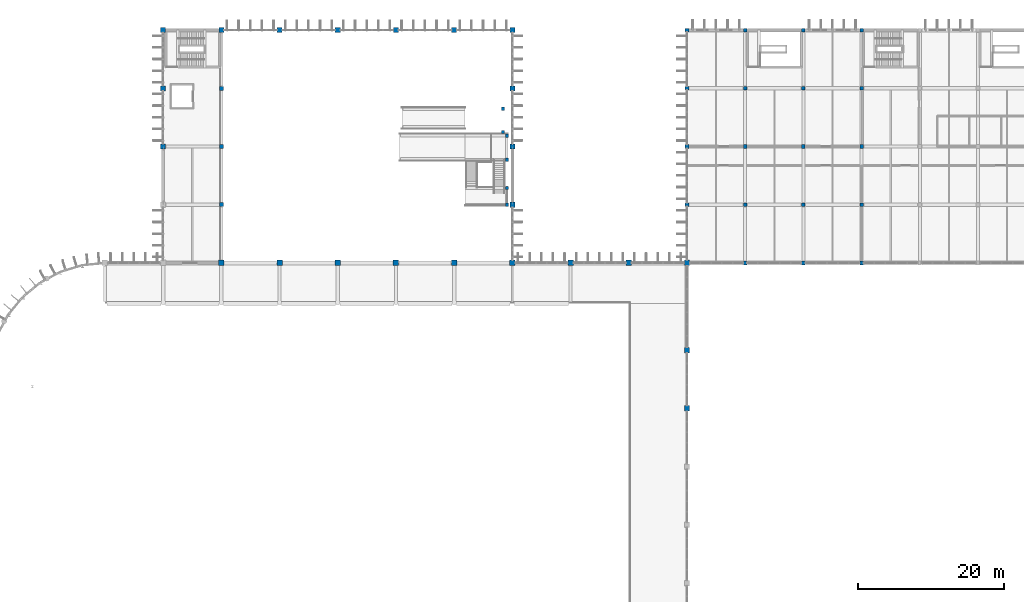
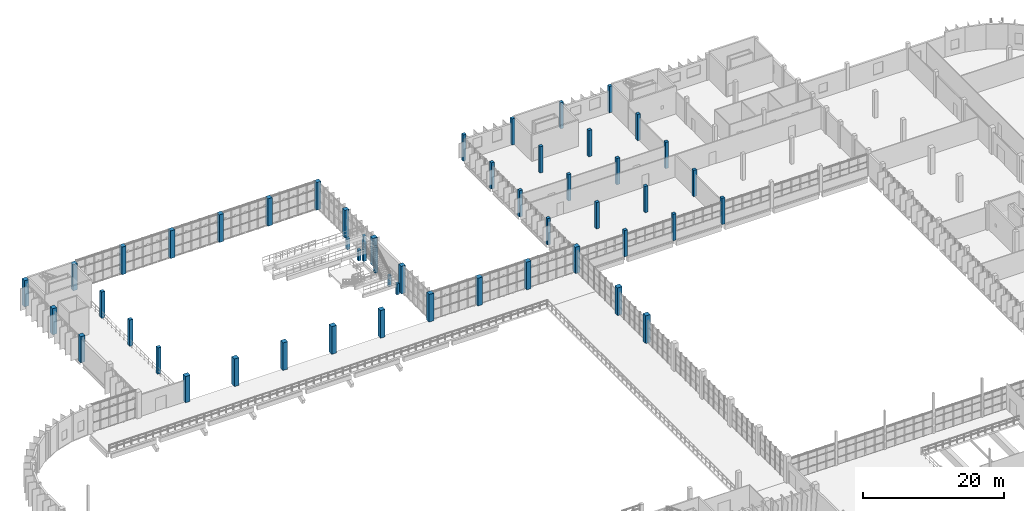
# One storey, part 8 of 93: 51 columns.
"""IFC4 building model written with IfcOpenShell, lengths in metres."""

from ifc_helpers import new_model, si_unit, direction, frame, origin, origin_2d, place, context, subcontext, project, spatial, rectangle, extrude, material, material_profile, profile_set, type_object, element, save


model = new_model("IFC4")

# Units and contexts
model_context = context("Model", 3, precision=1e-05, world=origin(), true_north=direction((0.0, 1.0)))
body_context = subcontext(model_context, "Body", "Model", "MODEL_VIEW")
ifc_project = project(units=[si_unit("LENGTHUNIT", "METRE"), si_unit("AREAUNIT", "SQUARE_METRE"), si_unit("VOLUMEUNIT", "CUBIC_METRE"), si_unit("PLANEANGLEUNIT", "RADIAN"), si_unit("MASSUNIT", "GRAM", prefix="KILO")], contexts=[model_context])

# Site, building, storey
site_placement = place(None, origin())
site = spatial("IfcSite", under=ifc_project, at=site_placement, CompositionType="ELEMENT")
building_placement = place(site_placement, origin())
building = spatial("IfcBuilding", under=site, at=building_placement, Name="Drelvana Railside Aquatics Centre", CompositionType="ELEMENT")
storey_placement = place(building_placement, frame((0.0, 0.0, 5.39990234375)))
storey = spatial("IfcBuildingStorey", under=building, at=storey_placement, Name="L01", CompositionType="ELEMENT", Elevation=5.39990234375)

# Columns
ifc_material = material(Name="Concrete C40/50", Category="concrete")
ifc_material_profile_1 = material_profile(ifc_material, rectangle(XDim=0.449951171875, YDim=0.449951171875, at=origin_2d()), Name="RC 450x450")
ifc_profile_set_1 = profile_set([ifc_material_profile_1], Name="Concrete C40/50")
column_type_1 = type_object("IfcColumnType", Name="STR-COL-RC-450x450", PredefinedType="COLUMN", material=ifc_profile_set_1)
for number, where, z_axis, x_axis, name in (
    (1, (70.699951171875, 102.0, 0.0), (0.0, 0.0, 1.0), (1.0, 0.0, 0.0), "Column C-01 (L01)"),
    (2, (70.699951171875, 105.199951171875, 0.0), (0.0, 0.0, 1.0), (1.0, 0.0, 0.0), "Column C-01 (L01)"),
    (3, (71.25, 92.0, 0.0), (0.0, 0.0, 1.0), (1.0, 0.0, 0.0), "Diving stair east carrier column 92.0 (L01)"),
    (4, (71.25, 94.300048828125, 0.0), (0.0, 0.0, 1.0), (1.0, 0.0, 0.0), "Diving stair east carrier column 94.3 (L01)"),
):
    element("IfcColumn", number, at=place(storey_placement, frame(where, z_axis=z_axis, x_axis=x_axis)), inside=storey, type_object=column_type_1, Name=name, PredefinedType="COLUMN", context=body_context, shape_type="SweptSolid", body=[
        extrude(rectangle(XDim=0.449951171875, YDim=0.449951171875, at=origin_2d()), origin(), (0.0, 0.0, 1.0), 1.880126953125),
    ])
for number, where, z_axis, x_axis, name in (
    (5, (71.25, 98.199951171875, 0.0), (0.0, 0.0, 1.0), (1.0, 0.0, 0.0), "Diving stair east carrier column 98.2 (L01)"),
    (6, (71.25, 101.5, 0.0), (0.0, 0.0, 1.0), (1.0, 0.0, 0.0), "Diving stair east carrier column 101.5 (L01)"),
):
    element("IfcColumn", number, at=place(storey_placement, frame(where, z_axis=z_axis, x_axis=x_axis)), inside=storey, type_object=column_type_1, Name=name, PredefinedType="COLUMN", context=body_context, shape_type="SweptSolid", body=[
        extrude(rectangle(XDim=0.449951171875, YDim=0.449951171875, at=origin_2d()), origin(), (0.0, 0.0, 1.0), 4.43017578125),
    ])
ifc_material_profile_2 = material_profile(ifc_material, rectangle(XDim=0.5, YDim=0.5, at=origin_2d()), Name="RC 500x500")
ifc_profile_set_2 = profile_set([ifc_material_profile_2], Name="Concrete C40/50")
column_type_2 = type_object("IfcColumnType", Name="STR-COL-RC-500x500", PredefinedType="COLUMN", material=ifc_profile_set_2)
for number, where, z_axis, x_axis, name in (
    (7, (96.0, 92.0, 0.0), (0.0, 0.0, 1.0), (1.0, 0.0, 0.0), "Column C-02 (L01)"),
    (8, (96.0, 100.0, 0.0), (0.0, 0.0, 1.0), (1.0, 0.0, 0.0), "Column C-02 (L01)"),
    (9, (96.0, 108.0, 0.0), (0.0, 0.0, 1.0), (1.0, 0.0, 0.0), "Column C-02 (L01)"),
):
    element("IfcColumn", number, at=place(storey_placement, frame(where, z_axis=z_axis, x_axis=x_axis)), inside=storey, type_object=column_type_2, Name=name, PredefinedType="COLUMN", context=body_context, shape_type="SweptSolid", body=[
        extrude(rectangle(XDim=0.5, YDim=0.5, at=origin_2d()), origin(), (0.0, 0.0, 1.0), 4.570068359375),
    ])
column_1_placement = place(storey_placement, frame((96.0, 116.0, 0.0), z_axis=(0.0, 0.0, 1.0), x_axis=(1.0, 0.0, 0.0)))
element("IfcColumn", 10, at=column_1_placement, inside=storey, type_object=column_type_2, Name="Column C-02 (L01)", PredefinedType="COLUMN", context=body_context, shape_type="SweptSolid", body=[
    extrude(rectangle(XDim=0.5, YDim=0.5, at=origin_2d()), origin(), (0.0, 0.0, 1.0), 4.550048828125),
])
for number, where, z_axis, x_axis, name in (
    (11, (104.0, 84.0, 0.0), (0.0, 0.0, 1.0), (1.0, 0.0, 0.0), "Column C-02 (L01)"),
    (12, (104.0, 92.0, 0.0), (0.0, 0.0, 1.0), (1.0, 0.0, 0.0), "Column C-02 (L01)"),
    (13, (104.0, 100.0, 0.0), (0.0, 0.0, 1.0), (1.0, 0.0, 0.0), "Column C-02 (L01)"),
    (14, (104.0, 108.0, 0.0), (0.0, 0.0, 1.0), (1.0, 0.0, 0.0), "Column C-02 (L01)"),
):
    element("IfcColumn", number, at=place(storey_placement, frame(where, z_axis=z_axis, x_axis=x_axis)), inside=storey, type_object=column_type_2, Name=name, PredefinedType="COLUMN", context=body_context, shape_type="SweptSolid", body=[
        extrude(rectangle(XDim=0.5, YDim=0.5, at=origin_2d()), origin(), (0.0, 0.0, 1.0), 4.570068359375),
    ])
column_2_placement = place(storey_placement, frame((104.0, 116.0, 0.0), z_axis=(0.0, 0.0, 1.0), x_axis=(1.0, 0.0, 0.0)))
element("IfcColumn", 15, at=column_2_placement, inside=storey, type_object=column_type_2, Name="Column C-02 (L01)", PredefinedType="COLUMN", context=body_context, shape_type="SweptSolid", body=[
    extrude(rectangle(XDim=0.5, YDim=0.5, at=origin_2d()), origin(), (0.0, 0.0, 1.0), 4.550048828125),
])
for number, where, z_axis, x_axis, name in (
    (16, (112.0, 84.0, 0.0), (0.0, 0.0, 1.0), (1.0, 0.0, 0.0), "Column C-02 (L01)"),
    (17, (112.0, 92.0, 0.0), (0.0, 0.0, 1.0), (1.0, 0.0, 0.0), "Column C-02 (L01)"),
    (18, (112.0, 100.0, 0.0), (0.0, 0.0, 1.0), (1.0, 0.0, 0.0), "Column C-02 (L01)"),
    (19, (112.0, 108.0, 0.0), (0.0, 0.0, 1.0), (1.0, 0.0, 0.0), "Column C-02 (L01)"),
):
    element("IfcColumn", number, at=place(storey_placement, frame(where, z_axis=z_axis, x_axis=x_axis)), inside=storey, type_object=column_type_2, Name=name, PredefinedType="COLUMN", context=body_context, shape_type="SweptSolid", body=[
        extrude(rectangle(XDim=0.5, YDim=0.5, at=origin_2d()), origin(), (0.0, 0.0, 1.0), 4.570068359375),
    ])
column_3_placement = place(storey_placement, frame((112.0, 116.0, 0.0), z_axis=(0.0, 0.0, 1.0), x_axis=(1.0, 0.0, 0.0)))
element("IfcColumn", 20, at=column_3_placement, inside=storey, type_object=column_type_2, Name="Column C-02 (L01)", PredefinedType="COLUMN", context=body_context, shape_type="SweptSolid", body=[
    extrude(rectangle(XDim=0.5, YDim=0.5, at=origin_2d()), origin(), (0.0, 0.0, 1.0), 4.550048828125),
])
for number, where, z_axis, x_axis, name in (
    (21, (120.0, 84.0, 0.0), (0.0, 0.0, 1.0), (1.0, 0.0, 0.0), "Column C-02 (L01)"),
    (22, (120.0, 92.0, 0.0), (0.0, 0.0, 1.0), (1.0, 0.0, 0.0), "Column C-02 (L01)"),
    (23, (120.0, 100.0, 0.0), (0.0, 0.0, 1.0), (1.0, 0.0, 0.0), "Column C-02 (L01)"),
    (24, (120.0, 108.0, 0.0), (0.0, 0.0, 1.0), (1.0, 0.0, 0.0), "Column C-02 (L01)"),
):
    element("IfcColumn", number, at=place(storey_placement, frame(where, z_axis=z_axis, x_axis=x_axis)), inside=storey, type_object=column_type_2, Name=name, PredefinedType="COLUMN", context=body_context, shape_type="SweptSolid", body=[
        extrude(rectangle(XDim=0.5, YDim=0.5, at=origin_2d()), origin(), (0.0, 0.0, 1.0), 4.570068359375),
    ])
column_4_placement = place(storey_placement, frame((120.0, 116.0, 0.0), z_axis=(0.0, 0.0, 1.0), x_axis=(1.0, 0.0, 0.0)))
element("IfcColumn", 25, at=column_4_placement, inside=storey, type_object=column_type_2, Name="Column C-02 (L01)", PredefinedType="COLUMN", context=body_context, shape_type="SweptSolid", body=[
    extrude(rectangle(XDim=0.5, YDim=0.5, at=origin_2d()), origin(), (0.0, 0.0, 1.0), 4.585205078125),
])
ifc_material_profile_3 = material_profile(ifc_material, rectangle(XDim=0.550048828125, YDim=0.550048828125, at=origin_2d()), Name="RC 550x550")
ifc_profile_set_3 = profile_set([ifc_material_profile_3], Name="Concrete C40/50")
column_type_3 = type_object("IfcColumnType", Name="STR-COL-RC-550x550", PredefinedType="COLUMN", material=ifc_profile_set_3)
for number, where, z_axis, x_axis, name in (
    (26, (32.0, 92.0, 0.0), (0.0, 0.0, 1.0), (1.0, 0.0, 0.0), "Column C-03 (L01)"),
    (27, (32.0, 100.0, 0.0), (0.0, 0.0, 1.0), (1.0, 0.0, 0.0), "Column C-03 (L01)"),
    (28, (32.0, 108.0, 0.0), (0.0, 0.0, 1.0), (1.0, 0.0, 0.0), "Column C-03 (L01)"),
):
    element("IfcColumn", number, at=place(storey_placement, frame(where, z_axis=z_axis, x_axis=x_axis)), inside=storey, type_object=column_type_3, Name=name, PredefinedType="COLUMN", context=body_context, shape_type="SweptSolid", body=[
        extrude(rectangle(XDim=0.550048828125, YDim=0.550048828125, at=origin_2d()), origin(), (0.0, 0.0, 1.0), 4.550048828125),
    ])
ifc_material_profile_4 = material_profile(ifc_material, rectangle(XDim=0.699951171875, YDim=0.699951171875, at=origin_2d()), Name="RC 700x700")
ifc_profile_set_4 = profile_set([ifc_material_profile_4], Name="Concrete C40/50")
column_type_4 = type_object("IfcColumnType", Name="STR-COL-RC-700x700", PredefinedType="COLUMN", material=ifc_profile_set_4)
for number, where, z_axis, x_axis, name in (
    (29, (24.0, 116.0, 0.0), (0.0, 0.0, 1.0), (1.0, 0.0, 0.0), "Column C-06 (L01)"),
    (30, (32.0, 116.0, 0.0), (0.0, 0.0, 1.0), (1.0, 0.0, 0.0), "Column C-06 (L01)"),
):
    element("IfcColumn", number, at=place(storey_placement, frame(where, z_axis=z_axis, x_axis=x_axis)), inside=storey, type_object=column_type_4, Name=name, PredefinedType="COLUMN", context=body_context, shape_type="SweptSolid", body=[
        extrude(rectangle(XDim=0.699951171875, YDim=0.699951171875, at=origin_2d()), origin(), (0.0, 0.0, 1.0), 4.550048828125),
    ])
for number, where, z_axis, x_axis, name in (
    (31, (40.0, 116.0, 0.0), (0.0, 0.0, 1.0), (1.0, 0.0, 0.0), "Column C-06 (L01)"),
    (32, (48.0, 116.0, 0.0), (0.0, 0.0, 1.0), (1.0, 0.0, 0.0), "Column C-06 (L01)"),
    (33, (56.0, 116.0, 0.0), (0.0, 0.0, 1.0), (1.0, 0.0, 0.0), "Column C-06 (L01)"),
    (34, (64.0, 116.0, 0.0), (0.0, 0.0, 1.0), (1.0, 0.0, 0.0), "Column C-06 (L01)"),
    (35, (72.0, 116.0, 0.0), (0.0, 0.0, 1.0), (1.0, 0.0, 0.0), "Column C-06 (L01)"),
    (36, (72.0, 92.0, 0.0), (0.0, 0.0, 1.0), (1.0, 0.0, 0.0), "Column C-06 (L01)"),
):
    element("IfcColumn", number, at=place(storey_placement, frame(where, z_axis=z_axis, x_axis=x_axis)), inside=storey, type_object=column_type_4, Name=name, PredefinedType="COLUMN", context=body_context, shape_type="SweptSolid", body=[
        extrude(rectangle(XDim=0.699951171875, YDim=0.699951171875, at=origin_2d()), origin(), (0.0, 0.0, 1.0), 4.800048828125),
    ])
column_5_placement = place(storey_placement, frame((24.0, 100.0, 0.0), z_axis=(0.0, 0.0, 1.0), x_axis=(1.0, 0.0, 0.0)))
element("IfcColumn", 37, at=column_5_placement, inside=storey, type_object=column_type_4, Name="Column C-06 (L01)", PredefinedType="COLUMN", context=body_context, shape_type="SweptSolid", body=[
    extrude(rectangle(XDim=0.699951171875, YDim=0.699951171875, at=origin_2d()), origin(), (0.0, 0.0, 1.0), 4.550048828125),
])
column_6_placement = place(storey_placement, frame((72.0, 100.0, 0.0), z_axis=(0.0, 0.0, 1.0), x_axis=(1.0, 0.0, 0.0)))
element("IfcColumn", 38, at=column_6_placement, inside=storey, type_object=column_type_4, Name="Column C-06 (L01)", PredefinedType="COLUMN", context=body_context, shape_type="SweptSolid", body=[
    extrude(rectangle(XDim=0.699951171875, YDim=0.699951171875, at=origin_2d()), origin(), (0.0, 0.0, 1.0), 4.800048828125),
])
column_7_placement = place(storey_placement, frame((24.0, 108.0, 0.0), z_axis=(0.0, 0.0, 1.0), x_axis=(1.0, 0.0, 0.0)))
element("IfcColumn", 39, at=column_7_placement, inside=storey, type_object=column_type_4, Name="Column C-06 (L01)", PredefinedType="COLUMN", context=body_context, shape_type="SweptSolid", body=[
    extrude(rectangle(XDim=0.699951171875, YDim=0.699951171875, at=origin_2d()), origin(), (0.0, 0.0, 1.0), 4.550048828125),
])
column_8_placement = place(storey_placement, frame((72.0, 108.0, 0.0), z_axis=(0.0, 0.0, 1.0), x_axis=(1.0, 0.0, 0.0)))
element("IfcColumn", 40, at=column_8_placement, inside=storey, type_object=column_type_4, Name="Column C-06 (L01)", PredefinedType="COLUMN", context=body_context, shape_type="SweptSolid", body=[
    extrude(rectangle(XDim=0.699951171875, YDim=0.699951171875, at=origin_2d()), origin(), (0.0, 0.0, 1.0), 4.800048828125),
])
ifc_material_profile_5 = material_profile(ifc_material, rectangle(XDim=0.75, YDim=0.75, at=origin_2d()), Name="RC 750x750")
ifc_profile_set_5 = profile_set([ifc_material_profile_5], Name="Concrete C40/50")
column_type_5 = type_object("IfcColumnType", Name="STR-COL-RC-750x750", PredefinedType="COLUMN", material=ifc_profile_set_5)
column_9_placement = place(storey_placement, frame((32.0, 84.0, 0.0), z_axis=(0.0, 0.0, 1.0), x_axis=(1.0, 0.0, 0.0)))
element("IfcColumn", 41, at=column_9_placement, inside=storey, type_object=column_type_5, Name="Column C-07 (L01)", PredefinedType="COLUMN", context=body_context, shape_type="SweptSolid", body=[
    extrude(rectangle(XDim=0.75, YDim=0.75, at=origin_2d()), origin(), (0.0, 0.0, 1.0), 4.550048828125),
])
for number, where, z_axis, x_axis, name in (
    (42, (40.0, 84.0, 0.0), (0.0, 0.0, 1.0), (1.0, 0.0, 0.0), "Column C-07 (L01)"),
    (43, (48.0, 84.0, 0.0), (0.0, 0.0, 1.0), (1.0, 0.0, 0.0), "Column C-07 (L01)"),
    (44, (56.0, 84.0, 0.0), (0.0, 0.0, 1.0), (1.0, 0.0, 0.0), "Column C-07 (L01)"),
    (45, (64.0, 84.0, 0.0), (0.0, 0.0, 1.0), (1.0, 0.0, 0.0), "Column C-07 (L01)"),
    (46, (72.0, 84.0, 0.0), (0.0, 0.0, 1.0), (1.0, 0.0, 0.0), "Column C-07 (L01)"),
    (47, (80.0, 84.0, 0.0), (0.0, 0.0, 1.0), (1.0, 0.0, 0.0), "Column C-07 (L01)"),
    (48, (88.0, 84.0, 0.0), (0.0, 0.0, 1.0), (1.0, 0.0, 0.0), "Column C-07 (L01)"),
):
    element("IfcColumn", number, at=place(storey_placement, frame(where, z_axis=z_axis, x_axis=x_axis)), inside=storey, type_object=column_type_5, Name=name, PredefinedType="COLUMN", context=body_context, shape_type="SweptSolid", body=[
        extrude(rectangle(XDim=0.75, YDim=0.75, at=origin_2d()), origin(), (0.0, 0.0, 1.0), 4.800048828125),
    ])
column_10_placement = place(storey_placement, frame((96.0, 84.0, 0.0), z_axis=(0.0, 0.0, 1.0), x_axis=(1.0, 0.0, 0.0)))
element("IfcColumn", 49, at=column_10_placement, inside=storey, type_object=column_type_5, Name="Column C-07 (L01)", PredefinedType="COLUMN", context=body_context, shape_type="SweptSolid", body=[
    extrude(rectangle(XDim=0.75, YDim=0.75, at=origin_2d()), origin(), (0.0, 0.0, 1.0), 4.570068359375),
])
for number, where, z_axis, x_axis, name in (
    (50, (96.0, 64.0, 0.0), (0.0, 0.0, 1.0), (1.0, 0.0, 0.0), "Column C-07 (L01)"),
    (51, (96.0, 72.0, 0.0), (0.0, 0.0, 1.0), (1.0, 0.0, 0.0), "Column C-07 (L01)"),
):
    element("IfcColumn", number, at=place(storey_placement, frame(where, z_axis=z_axis, x_axis=x_axis)), inside=storey, type_object=column_type_5, Name=name, PredefinedType="COLUMN", context=body_context, shape_type="SweptSolid", body=[
        extrude(rectangle(XDim=0.75, YDim=0.75, at=origin_2d()), origin(), (0.0, 0.0, 1.0), 4.800048828125),
    ])

save(model, "model.ifc")
